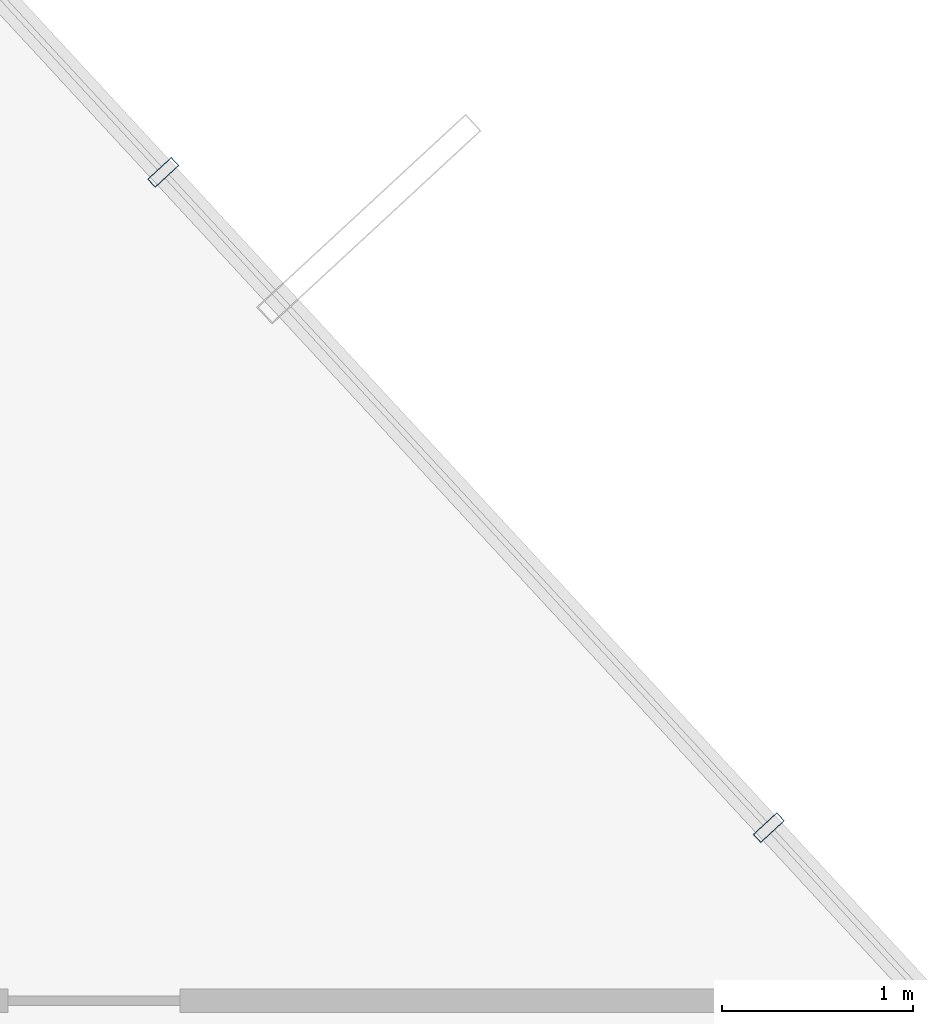
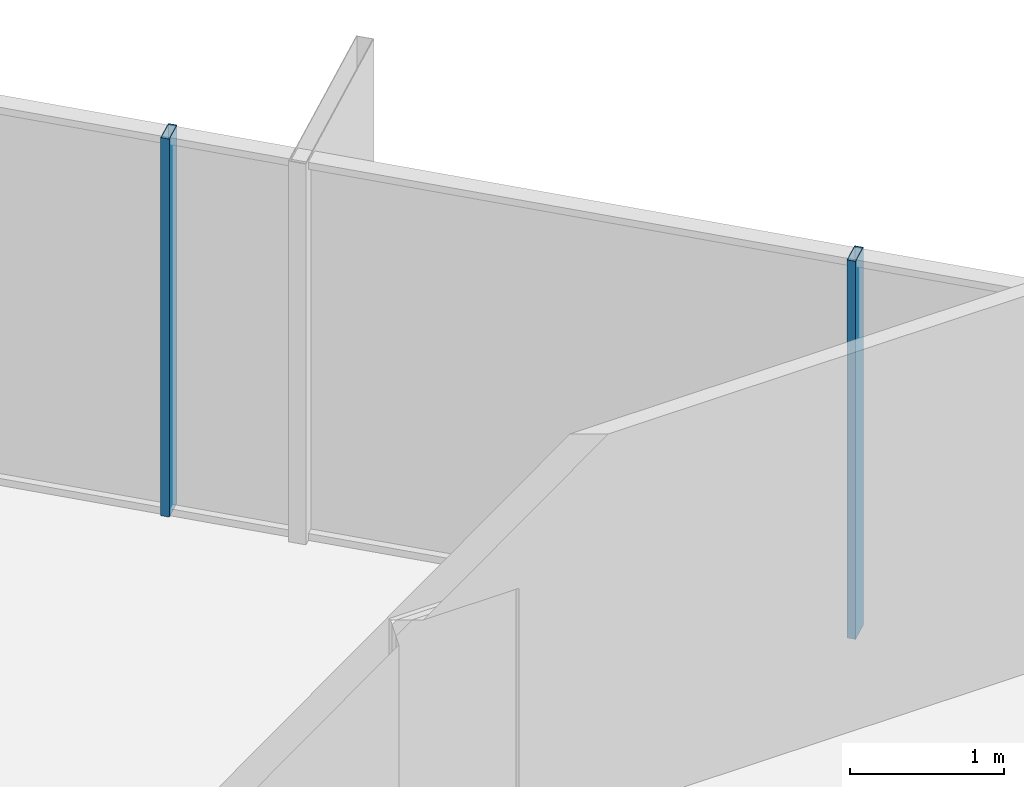
# One storey, part 30 of 39: 2 members, 1 element without a shape of its own.
"""IFC4 building model written with IfcOpenShell, lengths in metres."""

from ifc_helpers import new_model, si_unit, direction, frame, origin, origin_2d, place, context, subcontext, project, spatial, hollow_rectangle, extrude, source, transform, mapped, material, layer, layer_set, material_profile, profile_set, type_object, element, aggregate, save


model = new_model("IFC4")

# Units and contexts
model_context = context("Model", 3, precision=1e-05, world=origin(), true_north=direction((0.0, 1.0)))
body_context = subcontext(model_context, "Body", "Model", "MODEL_VIEW")
ifc_project = project(units=[si_unit("LENGTHUNIT", "METRE"), si_unit("AREAUNIT", "SQUARE_METRE"), si_unit("VOLUMEUNIT", "CUBIC_METRE"), si_unit("PLANEANGLEUNIT", "RADIAN"), si_unit("MASSUNIT", "GRAM", prefix="KILO")], contexts=[model_context])

# Site, building, storey
site_placement = place(None, origin())
site = spatial("IfcSite", under=ifc_project, at=site_placement, CompositionType="ELEMENT")
building_placement = place(site_placement, origin())
building = spatial("IfcBuilding", under=site, at=building_placement, Name="Veraguas Prism Commons", CompositionType="ELEMENT")
storey_placement = place(building_placement, frame((0.0, 0.0, 67.35009765625)))
storey = spatial("IfcBuildingStorey", under=building, at=storey_placement, Name="L18", CompositionType="ELEMENT", Elevation=67.35009765625)

# Curtain wall, members
ifc_material = material(Name="Anodised aluminium EN AW-6063 T6", Category="aluminium")
ifc_layer = layer(ifc_material, 0.169921875, Name="Unitised Flush Curtain Wall Zone 1", Category="aluminium")
ifc_layer_set = layer_set([ifc_layer], Name="Anodised aluminium EN AW-6063 T6")
curtain_wall_type = type_object("IfcCurtainWallType", Name="Unitised Flush Curtain Wall Zone 1", PredefinedType="NOTDEFINED", material=ifc_layer_set)
curtain_wall_placement = place(storey_placement, origin())
curtain_wall = element("IfcCurtainWall", 1, at=curtain_wall_placement, inside=storey, type_object=curtain_wall_type, Name="Tower Facade Curtain Wall L18-F1", PredefinedType="NOTDEFINED")
ifc_material_profile = material_profile(ifc_material, hollow_rectangle(XDim=0.06005859375, YDim=0.169921875, WallThickness=0.00390625, at=origin_2d()), Name="AL60X170X4")
ifc_profile_set = profile_set([ifc_material_profile], Name="Anodised aluminium EN AW-6063 T6")
member_type = type_object("IfcMemberType", Name="Curtain Wall Mullion Lower AL 60x170x4", PredefinedType="MULLION", material=ifc_profile_set)
shared_shape = source(origin(), body_context, "Body", "SweptSolid", [
    extrude(hollow_rectangle(XDim=0.06005859375, YDim=0.169921875, WallThickness=0.00390625, at=origin_2d()), origin(), (0.0, 0.0, 1.0), 3.0),
])
member_1_placement = place(storey_placement, frame((39.26513671875, 38.10595703125, 0.0), z_axis=(0.0, 0.0, 1.0), x_axis=(-0.678677699088, 0.734436233284, 0.0)))
member_1 = element("IfcMember", 2, at=member_1_placement, type_object=member_type, Name="CW-Z1 Mullion 3", PredefinedType="MULLION", context=body_context, shape_type="MappedRepresentation", body=[
    mapped(shared_shape, transform((0.0, 0.0, 0.0), scale=1.0)),
])
member_2_placement = place(storey_placement, frame((36.094970703125, 41.536376953125, 0.0), z_axis=(0.0, 0.0, 1.0), x_axis=(-0.678677699088, 0.734436233284, 0.0)))
member_2 = element("IfcMember", 3, at=member_2_placement, type_object=member_type, Name="CW-Z1 Mullion 4", PredefinedType="MULLION", context=body_context, shape_type="MappedRepresentation", body=[
    mapped(shared_shape, transform((0.0, 0.0, 0.0), scale=1.0)),
])
aggregate(curtain_wall, [member_1, member_2])

save(model, "model.ifc")
